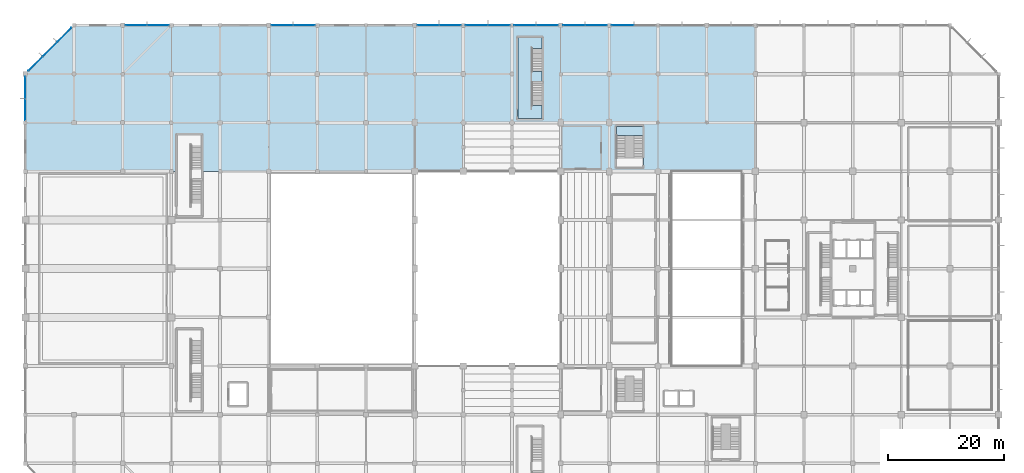
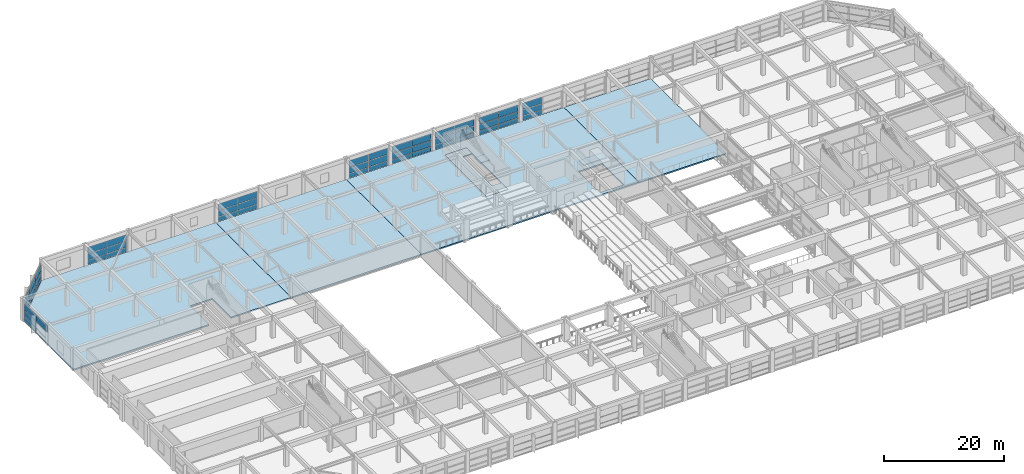
# One storey, part 45 of 62: 52 plates, 7 slabs, 11 elements without a shape of their own.
"""IFC4 building model written with IfcOpenShell, lengths in metres."""

from ifc_helpers import new_model, si_unit, direction, frame, origin, origin_2d, place, context, subcontext, project, spatial, polyline, rectangle, outline, extrude, material, layer, layer_set, type_object, element, aggregate, save


model = new_model("IFC4")

# Units and contexts
model_context = context("Model", 3, precision=1e-05, world=origin(), true_north=direction((0.0, 1.0)))
body_context = subcontext(model_context, "Body", "Model", "MODEL_VIEW")
ifc_project = project(units=[si_unit("LENGTHUNIT", "METRE"), si_unit("AREAUNIT", "SQUARE_METRE"), si_unit("VOLUMEUNIT", "CUBIC_METRE"), si_unit("PLANEANGLEUNIT", "RADIAN"), si_unit("MASSUNIT", "GRAM", prefix="KILO")], contexts=[model_context])

# Site, building, storey
site_placement = place(None, origin())
site = spatial("IfcSite", under=ifc_project, at=site_placement, CompositionType="ELEMENT")
building_placement = place(site_placement, origin())
building = spatial("IfcBuilding", under=site, at=building_placement, Name="Xuanlan Plaza Opera House", CompositionType="ELEMENT")
storey_placement = place(building_placement, frame((0.0, 0.0, 14.39990234375)))
storey = spatial("IfcBuildingStorey", under=building, at=storey_placement, Name="L03", CompositionType="ELEMENT", Elevation=14.39990234375)

# Curtain wall, plates
ifc_material_1 = material(Name="Anodised Aluminium 6063-T6 and Low-E Glass", Category="aluminium")
curtain_wall_type_1 = type_object("IfcCurtainWallType", Name="ENV-CW-CW-06", PredefinedType="USERDEFINED", material=ifc_material_1)
curtain_wall_1_placement = place(storey_placement, origin())
curtain_wall_1 = element("IfcCurtainWall", 1, at=curtain_wall_1_placement, inside=storey, type_object=curtain_wall_type_1, Name="Acoustic Glazed Wall L03-037", ObjectType="ACOUSTIC GLAZED WALL", PredefinedType="USERDEFINED")
ifc_material_2 = material(Name="Laminated Acoustic Double Glazing", Category="glass")
ifc_layer_1 = layer(ifc_material_2, 0.028076171875)
ifc_layer_set_1 = layer_set([ifc_layer_1], Name="Laminated Acoustic Double Glazing")
plate_type_1 = type_object("IfcPlateType", Name="ENV-CWP-01", PredefinedType="CURTAIN_PANEL", material=ifc_layer_set_1)
plate_1_placement = place(storey_placement, frame((90.047607421875, 100.800048828125, 0.080078125), z_axis=(0.0, 0.0, 1.0), x_axis=(-1.0, 0.0, 0.0)))
plate_1 = element("IfcPlate", 2, at=plate_1_placement, type_object=plate_type_1, Name="CW-06 panel 1.1", PredefinedType="CURTAIN_PANEL", context=body_context, shape_type="SweptSolid", body=[
    extrude(rectangle(XDim=3.72509765625, YDim=0.028076171875, at=origin_2d()), origin(), (0.0, 0.0, 1.0), 0.830078125),
])
plate_2_placement = place(storey_placement, frame((90.047607421875, 100.800048828125, 0.990234375), z_axis=(0.0, 0.0, 1.0), x_axis=(-1.0, 0.0, 0.0)))
plate_2 = element("IfcPlate", 3, at=plate_2_placement, type_object=plate_type_1, Name="CW-06 panel 1.2", PredefinedType="CURTAIN_PANEL", context=body_context, shape_type="SweptSolid", body=[
    extrude(rectangle(XDim=3.72509765625, YDim=0.028076171875, at=origin_2d()), origin(), (0.0, 0.0, 1.0), 1.219970703125),
])
plate_3_placement = place(storey_placement, frame((90.047607421875, 100.800048828125, 2.2900390625), z_axis=(0.0, 0.0, 1.0), x_axis=(-1.0, 0.0, 0.0)))
plate_3 = element("IfcPlate", 4, at=plate_3_placement, type_object=plate_type_1, Name="CW-06 panel 1.3", PredefinedType="CURTAIN_PANEL", context=body_context, shape_type="SweptSolid", body=[
    extrude(rectangle(XDim=3.72509765625, YDim=0.028076171875, at=origin_2d()), origin(), (0.0, 0.0, 1.0), 1.31005859375),
])
plate_4_placement = place(storey_placement, frame((86.25244140625, 100.800048828125, 0.080078125), z_axis=(0.0, 0.0, 1.0), x_axis=(-1.0, 0.0, 0.0)))
plate_4 = element("IfcPlate", 5, at=plate_4_placement, type_object=plate_type_1, Name="CW-06 panel 2.1", PredefinedType="CURTAIN_PANEL", context=body_context, shape_type="SweptSolid", body=[
    extrude(rectangle(XDim=3.72509765625, YDim=0.028076171875, at=origin_2d()), origin(), (0.0, 0.0, 1.0), 0.830078125),
])
plate_5_placement = place(storey_placement, frame((86.25244140625, 100.800048828125, 0.990234375), z_axis=(0.0, 0.0, 1.0), x_axis=(-1.0, 0.0, 0.0)))
plate_5 = element("IfcPlate", 6, at=plate_5_placement, type_object=plate_type_1, Name="CW-06 panel 2.2", PredefinedType="CURTAIN_PANEL", context=body_context, shape_type="SweptSolid", body=[
    extrude(rectangle(XDim=3.72509765625, YDim=0.028076171875, at=origin_2d()), origin(), (0.0, 0.0, 1.0), 1.219970703125),
])
plate_6_placement = place(storey_placement, frame((86.25244140625, 100.800048828125, 2.2900390625), z_axis=(0.0, 0.0, 1.0), x_axis=(-1.0, 0.0, 0.0)))
plate_6 = element("IfcPlate", 7, at=plate_6_placement, type_object=plate_type_1, Name="CW-06 panel 2.3", PredefinedType="CURTAIN_PANEL", context=body_context, shape_type="SweptSolid", body=[
    extrude(rectangle(XDim=3.72509765625, YDim=0.028076171875, at=origin_2d()), origin(), (0.0, 0.0, 1.0), 1.31005859375),
])
aggregate(curtain_wall_1, [plate_1, plate_2, plate_3, plate_4, plate_5, plate_6])

curtain_wall_type_2 = type_object("IfcCurtainWallType", Name="ENV-CW-CW-03", PredefinedType="USERDEFINED", material=ifc_material_1)
curtain_wall_2_placement = place(storey_placement, origin())
curtain_wall_2 = element("IfcCurtainWall", 8, at=curtain_wall_2_placement, inside=storey, type_object=curtain_wall_type_2, Name="Unitised Curtain Wall L03-042", ObjectType="UNITISED CURTAIN WALL", PredefinedType="USERDEFINED")
plate_7_placement = place(storey_placement, frame((48.110107421875, 100.800048828125, 0.080078125), z_axis=(0.0, 0.0, 1.0), x_axis=(-1.0, 0.0, 0.0)))
plate_7 = element("IfcPlate", 9, at=plate_7_placement, type_object=plate_type_1, Name="CW-03 panel 1.1", PredefinedType="CURTAIN_PANEL", context=body_context, shape_type="SweptSolid", body=[
    extrude(rectangle(XDim=3.699951171875, YDim=0.028076171875, at=origin_2d()), origin(), (0.0, 0.0, 1.0), 0.830078125),
])
plate_8_placement = place(storey_placement, frame((48.110107421875, 100.800048828125, 0.990234375), z_axis=(0.0, 0.0, 1.0), x_axis=(-1.0, 0.0, 0.0)))
plate_8 = element("IfcPlate", 10, at=plate_8_placement, type_object=plate_type_1, Name="CW-03 panel 1.2", PredefinedType="CURTAIN_PANEL", context=body_context, shape_type="SweptSolid", body=[
    extrude(rectangle(XDim=3.699951171875, YDim=0.028076171875, at=origin_2d()), origin(), (0.0, 0.0, 1.0), 1.219970703125),
])
plate_9_placement = place(storey_placement, frame((48.110107421875, 100.800048828125, 2.2900390625), z_axis=(0.0, 0.0, 1.0), x_axis=(-1.0, 0.0, 0.0)))
plate_9 = element("IfcPlate", 11, at=plate_9_placement, type_object=plate_type_1, Name="CW-03 panel 1.3", PredefinedType="CURTAIN_PANEL", context=body_context, shape_type="SweptSolid", body=[
    extrude(rectangle(XDim=3.699951171875, YDim=0.028076171875, at=origin_2d()), origin(), (0.0, 0.0, 1.0), 1.31005859375),
])
plate_10_placement = place(storey_placement, frame((44.340087890625, 100.800048828125, 0.080078125), z_axis=(0.0, 0.0, 1.0), x_axis=(-1.0, 0.0, 0.0)))
plate_10 = element("IfcPlate", 12, at=plate_10_placement, type_object=plate_type_1, Name="CW-03 panel 2.1", PredefinedType="CURTAIN_PANEL", context=body_context, shape_type="SweptSolid", body=[
    extrude(rectangle(XDim=3.699951171875, YDim=0.028076171875, at=origin_2d()), origin(), (0.0, 0.0, 1.0), 0.830078125),
])
plate_11_placement = place(storey_placement, frame((44.340087890625, 100.800048828125, 0.990234375), z_axis=(0.0, 0.0, 1.0), x_axis=(-1.0, 0.0, 0.0)))
plate_11 = element("IfcPlate", 13, at=plate_11_placement, type_object=plate_type_1, Name="CW-03 panel 2.2", PredefinedType="CURTAIN_PANEL", context=body_context, shape_type="SweptSolid", body=[
    extrude(rectangle(XDim=3.699951171875, YDim=0.028076171875, at=origin_2d()), origin(), (0.0, 0.0, 1.0), 1.219970703125),
])
plate_12_placement = place(storey_placement, frame((44.340087890625, 100.800048828125, 2.2900390625), z_axis=(0.0, 0.0, 1.0), x_axis=(-1.0, 0.0, 0.0)))
plate_12 = element("IfcPlate", 14, at=plate_12_placement, type_object=plate_type_1, Name="CW-03 panel 2.3", PredefinedType="CURTAIN_PANEL", context=body_context, shape_type="SweptSolid", body=[
    extrude(rectangle(XDim=3.699951171875, YDim=0.028076171875, at=origin_2d()), origin(), (0.0, 0.0, 1.0), 1.31005859375),
])
aggregate(curtain_wall_2, [plate_7, plate_8, plate_9, plate_10, plate_11, plate_12])

curtain_wall_type_3 = type_object("IfcCurtainWallType", Name="ENV-CW-CW-04", PredefinedType="USERDEFINED", material=ifc_material_1)
curtain_wall_3_placement = place(storey_placement, origin())
curtain_wall_3 = element("IfcCurtainWall", 15, at=curtain_wall_3_placement, inside=storey, type_object=curtain_wall_type_3, Name="Unitised Curtain Wall L03-047", ObjectType="UNITISED CURTAIN WALL", PredefinedType="USERDEFINED")
plate_13_placement = place(storey_placement, frame((6.73828125, 99.13818359375, 0.080078125), z_axis=(0.0, 0.0, 1.0), x_axis=(-0.707106781187, -0.707106781187, 0.0)))
plate_13 = element("IfcPlate", 16, at=plate_13_placement, type_object=plate_type_1, Name="CW-04 panel 1.1", PredefinedType="CURTAIN_PANEL", context=body_context, shape_type="SweptSolid", body=[
    extrude(rectangle(XDim=3.431396484375, YDim=0.028076171875, at=origin_2d()), origin(), (0.0, 0.0, 1.0), 0.830078125),
])
plate_14_placement = place(storey_placement, frame((6.73828125, 99.13818359375, 0.990234375), z_axis=(0.0, 0.0, 1.0), x_axis=(-0.707106781187, -0.707106781187, 0.0)))
plate_14 = element("IfcPlate", 17, at=plate_14_placement, type_object=plate_type_1, Name="CW-04 panel 1.2", PredefinedType="CURTAIN_PANEL", context=body_context, shape_type="SweptSolid", body=[
    extrude(rectangle(XDim=3.431396484375, YDim=0.028076171875, at=origin_2d()), origin(), (0.0, 0.0, 1.0), 1.219970703125),
])
plate_15_placement = place(storey_placement, frame((6.73828125, 99.13818359375, 2.2900390625), z_axis=(0.0, 0.0, 1.0), x_axis=(-0.707106781187, -0.707106781187, 0.0)))
plate_15 = element("IfcPlate", 18, at=plate_15_placement, type_object=plate_type_1, Name="CW-04 panel 1.3", PredefinedType="CURTAIN_PANEL", context=body_context, shape_type="SweptSolid", body=[
    extrude(rectangle(XDim=3.431396484375, YDim=0.028076171875, at=origin_2d()), origin(), (0.0, 0.0, 1.0), 1.31005859375),
])
plate_16_placement = place(storey_placement, frame((4.25, 96.64990234375, 0.080078125), z_axis=(0.0, 0.0, 1.0), x_axis=(-0.707106781187, -0.707106781187, 0.0)))
plate_16 = element("IfcPlate", 19, at=plate_16_placement, type_object=plate_type_1, Name="CW-04 panel 2.1", PredefinedType="CURTAIN_PANEL", context=body_context, shape_type="SweptSolid", body=[
    extrude(rectangle(XDim=3.466552734375, YDim=0.028076171875, at=origin_2d()), origin(), (0.0, 0.0, 1.0), 0.830078125),
])
plate_17_placement = place(storey_placement, frame((4.25, 96.64990234375, 0.990234375), z_axis=(0.0, 0.0, 1.0), x_axis=(-0.707106781187, -0.707106781187, 0.0)))
plate_17 = element("IfcPlate", 20, at=plate_17_placement, type_object=plate_type_1, Name="CW-04 panel 2.2", PredefinedType="CURTAIN_PANEL", context=body_context, shape_type="SweptSolid", body=[
    extrude(rectangle(XDim=3.466552734375, YDim=0.028076171875, at=origin_2d()), origin(), (0.0, 0.0, 1.0), 1.219970703125),
])
plate_18_placement = place(storey_placement, frame((4.25, 96.64990234375, 2.2900390625), z_axis=(0.0, 0.0, 1.0), x_axis=(-0.707106781187, -0.707106781187, 0.0)))
plate_18 = element("IfcPlate", 21, at=plate_18_placement, type_object=plate_type_1, Name="CW-04 panel 2.3", PredefinedType="CURTAIN_PANEL", context=body_context, shape_type="SweptSolid", body=[
    extrude(rectangle(XDim=3.466552734375, YDim=0.028076171875, at=origin_2d()), origin(), (0.0, 0.0, 1.0), 1.31005859375),
])
plate_19_placement = place(storey_placement, frame((1.76171875, 94.16162109375, 0.080078125), z_axis=(0.0, 0.0, 1.0), x_axis=(-0.707106781187, -0.707106781187, 0.0)))
plate_19 = element("IfcPlate", 22, at=plate_19_placement, type_object=plate_type_1, Name="CW-04 panel 3.1", PredefinedType="CURTAIN_PANEL", context=body_context, shape_type="SweptSolid", body=[
    extrude(rectangle(XDim=3.431396484375, YDim=0.028076171875, at=origin_2d()), origin(), (0.0, 0.0, 1.0), 0.830078125),
])
plate_20_placement = place(storey_placement, frame((1.76171875, 94.16162109375, 0.990234375), z_axis=(0.0, 0.0, 1.0), x_axis=(-0.707106781187, -0.707106781187, 0.0)))
plate_20 = element("IfcPlate", 23, at=plate_20_placement, type_object=plate_type_1, Name="CW-04 panel 3.2", PredefinedType="CURTAIN_PANEL", context=body_context, shape_type="SweptSolid", body=[
    extrude(rectangle(XDim=3.431396484375, YDim=0.028076171875, at=origin_2d()), origin(), (0.0, 0.0, 1.0), 1.219970703125),
])
plate_21_placement = place(storey_placement, frame((1.76171875, 94.16162109375, 2.2900390625), z_axis=(0.0, 0.0, 1.0), x_axis=(-0.707106781187, -0.707106781187, 0.0)))
plate_21 = element("IfcPlate", 24, at=plate_21_placement, type_object=plate_type_1, Name="CW-04 panel 3.3", PredefinedType="CURTAIN_PANEL", context=body_context, shape_type="SweptSolid", body=[
    extrude(rectangle(XDim=3.431396484375, YDim=0.028076171875, at=origin_2d()), origin(), (0.0, 0.0, 1.0), 1.31005859375),
])
aggregate(curtain_wall_3, [plate_13, plate_14, plate_15, plate_16, plate_17, plate_18, plate_19, plate_20, plate_21])

curtain_wall_4_placement = place(storey_placement, origin())
curtain_wall_4 = element("IfcCurtainWall", 25, at=curtain_wall_4_placement, inside=storey, type_object=curtain_wall_type_1, Name="Acoustic Glazed Wall L03-039", ObjectType="ACOUSTIC GLAZED WALL", PredefinedType="USERDEFINED")
ifc_layer_2 = layer(ifc_material_2, 0.031982421875)
ifc_layer_set_2 = layer_set([ifc_layer_2], Name="Laminated Acoustic Double Glazing")
plate_type_2 = type_object("IfcPlateType", Name="ENV-CWP-02", PredefinedType="CURTAIN_PANEL", material=ifc_layer_set_2)
plate_22_placement = place(storey_placement, frame((73.3076171875, 100.800048828125, 0.0751953125), z_axis=(0.0, 0.0, 1.0), x_axis=(-1.0, 0.0, 0.0)))
plate_22 = element("IfcPlate", 26, at=plate_22_placement, type_object=plate_type_2, Name="CW-06 panel 1.1", PredefinedType="CURTAIN_PANEL", context=body_context, shape_type="SweptSolid", body=[
    extrude(rectangle(XDim=3.68505859375, YDim=0.031982421875, at=origin_2d()), origin(), (0.0, 0.0, 1.0), 0.83740234375),
])
plate_23_placement = place(storey_placement, frame((73.3076171875, 100.800048828125, 0.987548828125), z_axis=(0.0, 0.0, 1.0), x_axis=(-1.0, 0.0, 0.0)))
plate_23 = element("IfcPlate", 27, at=plate_23_placement, type_object=plate_type_2, Name="CW-06 panel 1.2", PredefinedType="CURTAIN_PANEL", context=body_context, shape_type="SweptSolid", body=[
    extrude(rectangle(XDim=3.68505859375, YDim=0.031982421875, at=origin_2d()), origin(), (0.0, 0.0, 1.0), 1.22509765625),
])
plate_24_placement = place(storey_placement, frame((73.3076171875, 100.800048828125, 2.28759765625), z_axis=(0.0, 0.0, 1.0), x_axis=(-1.0, 0.0, 0.0)))
plate_24 = element("IfcPlate", 28, at=plate_24_placement, type_object=plate_type_2, Name="CW-06 panel 1.3", PredefinedType="CURTAIN_PANEL", context=body_context, shape_type="SweptSolid", body=[
    extrude(rectangle(XDim=3.68505859375, YDim=0.031982421875, at=origin_2d()), origin(), (0.0, 0.0, 1.0), 1.3173828125),
])
plate_25_placement = place(storey_placement, frame((69.54248046875, 100.800048828125, 0.0751953125), z_axis=(0.0, 0.0, 1.0), x_axis=(-1.0, 0.0, 0.0)))
plate_25 = element("IfcPlate", 29, at=plate_25_placement, type_object=plate_type_2, Name="CW-06 panel 2.1", PredefinedType="CURTAIN_PANEL", context=body_context, shape_type="SweptSolid", body=[
    extrude(rectangle(XDim=3.68505859375, YDim=0.031982421875, at=origin_2d()), origin(), (0.0, 0.0, 1.0), 0.83740234375),
])
plate_26_placement = place(storey_placement, frame((69.54248046875, 100.800048828125, 0.987548828125), z_axis=(0.0, 0.0, 1.0), x_axis=(-1.0, 0.0, 0.0)))
plate_26 = element("IfcPlate", 30, at=plate_26_placement, type_object=plate_type_2, Name="CW-06 panel 2.2", PredefinedType="CURTAIN_PANEL", context=body_context, shape_type="SweptSolid", body=[
    extrude(rectangle(XDim=3.68505859375, YDim=0.031982421875, at=origin_2d()), origin(), (0.0, 0.0, 1.0), 1.22509765625),
])
plate_27_placement = place(storey_placement, frame((69.54248046875, 100.800048828125, 2.28759765625), z_axis=(0.0, 0.0, 1.0), x_axis=(-1.0, 0.0, 0.0)))
plate_27 = element("IfcPlate", 31, at=plate_27_placement, type_object=plate_type_2, Name="CW-06 panel 2.3", PredefinedType="CURTAIN_PANEL", context=body_context, shape_type="SweptSolid", body=[
    extrude(rectangle(XDim=3.68505859375, YDim=0.031982421875, at=origin_2d()), origin(), (0.0, 0.0, 1.0), 1.3173828125),
])
aggregate(curtain_wall_4, [plate_22, plate_23, plate_24, plate_25, plate_26, plate_27])

curtain_wall_type_4 = type_object("IfcCurtainWallType", Name="ENV-CW-CW-05", PredefinedType="USERDEFINED", material=ifc_material_1)
curtain_wall_5_placement = place(storey_placement, origin())
curtain_wall_5 = element("IfcCurtainWall", 32, at=curtain_wall_5_placement, inside=storey, type_object=curtain_wall_type_4, Name="Acoustic Glazed Wall L03-036", ObjectType="ACOUSTIC GLAZED WALL", PredefinedType="USERDEFINED")
ifc_layer_3 = layer(ifc_material_2, 0.035888671875)
ifc_layer_set_3 = layer_set([ifc_layer_3], Name="Laminated Acoustic Double Glazing")
plate_type_3 = type_object("IfcPlateType", Name="ENV-CWP-03", PredefinedType="CURTAIN_PANEL", material=ifc_layer_set_3)
plate_28_placement = place(storey_placement, frame((98.51123046875, 100.800048828125, 0.0703125), z_axis=(0.0, 0.0, 1.0), x_axis=(-1.0, 0.0, 0.0)))
plate_28 = element("IfcPlate", 33, at=plate_28_placement, type_object=plate_type_3, Name="CW-05 panel 1.1", PredefinedType="CURTAIN_PANEL", context=body_context, shape_type="SweptSolid", body=[
    extrude(rectangle(XDim=3.70751953125, YDim=0.035888671875, at=origin_2d()), origin(), (0.0, 0.0, 1.0), 0.844970703125),
])
plate_29_placement = place(storey_placement, frame((98.51123046875, 100.800048828125, 0.985107421875), z_axis=(0.0, 0.0, 1.0), x_axis=(-1.0, 0.0, 0.0)))
plate_29 = element("IfcPlate", 34, at=plate_29_placement, type_object=plate_type_3, Name="CW-05 panel 1.2", PredefinedType="CURTAIN_PANEL", context=body_context, shape_type="SweptSolid", body=[
    extrude(rectangle(XDim=3.70751953125, YDim=0.035888671875, at=origin_2d()), origin(), (0.0, 0.0, 1.0), 1.22998046875),
])
plate_30_placement = place(storey_placement, frame((98.51123046875, 100.800048828125, 2.28515625), z_axis=(0.0, 0.0, 1.0), x_axis=(-1.0, 0.0, 0.0)))
plate_30 = element("IfcPlate", 35, at=plate_30_placement, type_object=plate_type_3, Name="CW-05 panel 1.3", PredefinedType="CURTAIN_PANEL", context=body_context, shape_type="SweptSolid", body=[
    extrude(rectangle(XDim=3.70751953125, YDim=0.035888671875, at=origin_2d()), origin(), (0.0, 0.0, 1.0), 1.324951171875),
])
plate_31_placement = place(storey_placement, frame((94.73876953125, 100.800048828125, 0.0703125), z_axis=(0.0, 0.0, 1.0), x_axis=(-1.0, 0.0, 0.0)))
plate_31 = element("IfcPlate", 36, at=plate_31_placement, type_object=plate_type_3, Name="CW-05 panel 2.1", PredefinedType="CURTAIN_PANEL", context=body_context, shape_type="SweptSolid", body=[
    extrude(rectangle(XDim=3.70751953125, YDim=0.035888671875, at=origin_2d()), origin(), (0.0, 0.0, 1.0), 0.844970703125),
])
plate_32_placement = place(storey_placement, frame((94.73876953125, 100.800048828125, 0.985107421875), z_axis=(0.0, 0.0, 1.0), x_axis=(-1.0, 0.0, 0.0)))
plate_32 = element("IfcPlate", 37, at=plate_32_placement, type_object=plate_type_3, Name="CW-05 panel 2.2", PredefinedType="CURTAIN_PANEL", context=body_context, shape_type="SweptSolid", body=[
    extrude(rectangle(XDim=3.70751953125, YDim=0.035888671875, at=origin_2d()), origin(), (0.0, 0.0, 1.0), 1.22998046875),
])
plate_33_placement = place(storey_placement, frame((94.73876953125, 100.800048828125, 2.28515625), z_axis=(0.0, 0.0, 1.0), x_axis=(-1.0, 0.0, 0.0)))
plate_33 = element("IfcPlate", 38, at=plate_33_placement, type_object=plate_type_3, Name="CW-05 panel 2.3", PredefinedType="CURTAIN_PANEL", context=body_context, shape_type="SweptSolid", body=[
    extrude(rectangle(XDim=3.70751953125, YDim=0.035888671875, at=origin_2d()), origin(), (0.0, 0.0, 1.0), 1.324951171875),
])
aggregate(curtain_wall_5, [plate_28, plate_29, plate_30, plate_31, plate_32, plate_33])

curtain_wall_6_placement = place(storey_placement, origin())
curtain_wall_6 = element("IfcCurtainWall", 39, at=curtain_wall_6_placement, inside=storey, type_object=curtain_wall_type_4, Name="Acoustic Glazed Wall L03-038", ObjectType="ACOUSTIC GLAZED WALL", PredefinedType="USERDEFINED")
ifc_layer_4 = layer(ifc_material_2, 0.0400390625)
ifc_layer_set_4 = layer_set([ifc_layer_4], Name="Laminated Acoustic Double Glazing")
plate_type_4 = type_object("IfcPlateType", Name="ENV-CWP-04", PredefinedType="CURTAIN_PANEL", material=ifc_layer_set_4)
plate_34_placement = place(storey_placement, frame((81.733642578125, 100.800048828125, 0.065185546875), z_axis=(0.0, 0.0, 1.0), x_axis=(-1.0, 0.0, 0.0)))
plate_34 = element("IfcPlate", 40, at=plate_34_placement, type_object=plate_type_4, Name="CW-05 panel 1.1", PredefinedType="CURTAIN_PANEL", context=body_context, shape_type="SweptSolid", body=[
    extrude(rectangle(XDim=3.742431640625, YDim=0.0400390625, at=origin_2d()), origin(), (0.0, 0.0, 1.0), 0.8525390625),
])
plate_35_placement = place(storey_placement, frame((81.733642578125, 100.800048828125, 0.982421875), z_axis=(0.0, 0.0, 1.0), x_axis=(-1.0, 0.0, 0.0)))
plate_35 = element("IfcPlate", 41, at=plate_35_placement, type_object=plate_type_4, Name="CW-05 panel 1.2", PredefinedType="CURTAIN_PANEL", context=body_context, shape_type="SweptSolid", body=[
    extrude(rectangle(XDim=3.742431640625, YDim=0.0400390625, at=origin_2d()), origin(), (0.0, 0.0, 1.0), 1.235107421875),
])
plate_36_placement = place(storey_placement, frame((81.733642578125, 100.800048828125, 2.282470703125), z_axis=(0.0, 0.0, 1.0), x_axis=(-1.0, 0.0, 0.0)))
plate_36 = element("IfcPlate", 42, at=plate_36_placement, type_object=plate_type_4, Name="CW-05 panel 1.3", PredefinedType="CURTAIN_PANEL", context=body_context, shape_type="SweptSolid", body=[
    extrude(rectangle(XDim=3.742431640625, YDim=0.0400390625, at=origin_2d()), origin(), (0.0, 0.0, 1.0), 1.33251953125),
])
plate_37_placement = place(storey_placement, frame((77.916259765625, 100.800048828125, 0.065185546875), z_axis=(0.0, 0.0, 1.0), x_axis=(-1.0, 0.0, 0.0)))
plate_37 = element("IfcPlate", 43, at=plate_37_placement, type_object=plate_type_4, Name="CW-05 panel 2.1", PredefinedType="CURTAIN_PANEL", context=body_context, shape_type="SweptSolid", body=[
    extrude(rectangle(XDim=3.742431640625, YDim=0.0400390625, at=origin_2d()), origin(), (0.0, 0.0, 1.0), 0.8525390625),
])
plate_38_placement = place(storey_placement, frame((77.916259765625, 100.800048828125, 0.982421875), z_axis=(0.0, 0.0, 1.0), x_axis=(-1.0, 0.0, 0.0)))
plate_38 = element("IfcPlate", 44, at=plate_38_placement, type_object=plate_type_4, Name="CW-05 panel 2.2", PredefinedType="CURTAIN_PANEL", context=body_context, shape_type="SweptSolid", body=[
    extrude(rectangle(XDim=3.742431640625, YDim=0.0400390625, at=origin_2d()), origin(), (0.0, 0.0, 1.0), 1.235107421875),
])
plate_39_placement = place(storey_placement, frame((77.916259765625, 100.800048828125, 2.282470703125), z_axis=(0.0, 0.0, 1.0), x_axis=(-1.0, 0.0, 0.0)))
plate_39 = element("IfcPlate", 45, at=plate_39_placement, type_object=plate_type_4, Name="CW-05 panel 2.3", PredefinedType="CURTAIN_PANEL", context=body_context, shape_type="SweptSolid", body=[
    extrude(rectangle(XDim=3.742431640625, YDim=0.0400390625, at=origin_2d()), origin(), (0.0, 0.0, 1.0), 1.33251953125),
])
aggregate(curtain_wall_6, [plate_34, plate_35, plate_36, plate_37, plate_38, plate_39])

curtain_wall_type_5 = type_object("IfcCurtainWallType", Name="ENV-CW-CW-01", PredefinedType="USERDEFINED", material=ifc_material_1)
curtain_wall_7_placement = place(storey_placement, origin())
curtain_wall_7 = element("IfcCurtainWall", 46, at=curtain_wall_7_placement, inside=storey, type_object=curtain_wall_type_5, Name="Unitised Curtain Wall L03-048", ObjectType="UNITISED CURTAIN WALL", PredefinedType="USERDEFINED")
plate_40_placement = place(storey_placement, frame((0.0, 90.046142578125, 0.065185546875), z_axis=(0.0, 0.0, 1.0), x_axis=(0.0, -1.0, 0.0)))
plate_40 = element("IfcPlate", 47, at=plate_40_placement, type_object=plate_type_4, Name="CW-01 panel 1.1", PredefinedType="CURTAIN_PANEL", context=body_context, shape_type="SweptSolid", body=[
    extrude(rectangle(XDim=3.717529296875, YDim=0.0400390625, at=origin_2d()), origin(), (0.0, 0.0, 1.0), 0.8525390625),
])
plate_41_placement = place(storey_placement, frame((0.0, 90.046142578125, 0.982421875), z_axis=(0.0, 0.0, 1.0), x_axis=(0.0, -1.0, 0.0)))
plate_41 = element("IfcPlate", 48, at=plate_41_placement, type_object=plate_type_4, Name="CW-01 panel 1.2", PredefinedType="CURTAIN_PANEL", context=body_context, shape_type="SweptSolid", body=[
    extrude(rectangle(XDim=3.717529296875, YDim=0.0400390625, at=origin_2d()), origin(), (0.0, 0.0, 1.0), 1.235107421875),
])
plate_42_placement = place(storey_placement, frame((0.0, 90.046142578125, 2.282470703125), z_axis=(0.0, 0.0, 1.0), x_axis=(0.0, -1.0, 0.0)))
plate_42 = element("IfcPlate", 49, at=plate_42_placement, type_object=plate_type_4, Name="CW-01 panel 1.3", PredefinedType="CURTAIN_PANEL", context=body_context, shape_type="SweptSolid", body=[
    extrude(rectangle(XDim=3.717529296875, YDim=0.0400390625, at=origin_2d()), origin(), (0.0, 0.0, 1.0), 1.33251953125),
])
plate_43_placement = place(storey_placement, frame((0.0, 86.253662109375, 2.282470703125), z_axis=(0.0, 0.0, 1.0), x_axis=(0.0, -1.0, 0.0)))
plate_43 = element("IfcPlate", 50, at=plate_43_placement, type_object=plate_type_4, Name="CW-01 panel 2.3", PredefinedType="CURTAIN_PANEL", context=body_context, shape_type="SweptSolid", body=[
    extrude(rectangle(XDim=3.717529296875, YDim=0.0400390625, at=origin_2d()), origin(), (0.0, 0.0, 1.0), 1.33251953125),
])
aggregate(curtain_wall_7, [plate_40, plate_41, plate_42, plate_43])

curtain_wall_8_placement = place(storey_placement, origin())
curtain_wall_8 = element("IfcCurtainWall", 51, at=curtain_wall_8_placement, inside=storey, type_object=curtain_wall_type_1, Name="Acoustic Glazed Wall L03-035", ObjectType="ACOUSTIC GLAZED WALL", PredefinedType="USERDEFINED")
ifc_layer_5 = layer(ifc_material_2, 0.0439453125)
ifc_layer_set_5 = layer_set([ifc_layer_5], Name="Laminated Acoustic Double Glazing")
plate_type_5 = type_object("IfcPlateType", Name="ENV-CWP-05", PredefinedType="CURTAIN_PANEL", material=ifc_layer_set_5)
plate_44_placement = place(storey_placement, frame((103.1201171875, 100.800048828125, 0.090087890625), z_axis=(0.0, 0.0, 1.0), x_axis=(-1.0, 0.0, 0.0)))
plate_44 = element("IfcPlate", 52, at=plate_44_placement, type_object=plate_type_5, Name="CW-06 panel 2.1", PredefinedType="CURTAIN_PANEL", context=body_context, shape_type="SweptSolid", body=[
    extrude(rectangle(XDim=3.719970703125, YDim=0.0439453125, at=origin_2d()), origin(), (0.0, 0.0, 1.0), 0.81494140625),
])
plate_45_placement = place(storey_placement, frame((103.1201171875, 100.800048828125, 0.9951171875), z_axis=(0.0, 0.0, 1.0), x_axis=(-1.0, 0.0, 0.0)))
plate_45 = element("IfcPlate", 53, at=plate_45_placement, type_object=plate_type_5, Name="CW-06 panel 2.2", PredefinedType="CURTAIN_PANEL", context=body_context, shape_type="SweptSolid", body=[
    extrude(rectangle(XDim=3.719970703125, YDim=0.0439453125, at=origin_2d()), origin(), (0.0, 0.0, 1.0), 1.2099609375),
])
plate_46_placement = place(storey_placement, frame((103.1201171875, 100.800048828125, 2.295166015625), z_axis=(0.0, 0.0, 1.0), x_axis=(-1.0, 0.0, 0.0)))
plate_46 = element("IfcPlate", 54, at=plate_46_placement, type_object=plate_type_5, Name="CW-06 panel 2.3", PredefinedType="CURTAIN_PANEL", context=body_context, shape_type="SweptSolid", body=[
    extrude(rectangle(XDim=3.719970703125, YDim=0.0439453125, at=origin_2d()), origin(), (0.0, 0.0, 1.0), 1.294921875),
])
aggregate(curtain_wall_8, [plate_44, plate_45, plate_46])

curtain_wall_type_6 = type_object("IfcCurtainWallType", Name="ENV-CW-CW-02", PredefinedType="USERDEFINED", material=ifc_material_1)
curtain_wall_9_placement = place(storey_placement, origin())
curtain_wall_9 = element("IfcCurtainWall", 55, at=curtain_wall_9_placement, inside=storey, type_object=curtain_wall_type_6, Name="Unitised Curtain Wall L03-045", ObjectType="UNITISED CURTAIN WALL", PredefinedType="USERDEFINED")
plate_47_placement = place(storey_placement, frame((22.905029296875, 100.800048828125, 0.090087890625), z_axis=(0.0, 0.0, 1.0), x_axis=(-1.0, 0.0, 0.0)))
plate_47 = element("IfcPlate", 56, at=plate_47_placement, type_object=plate_type_5, Name="CW-02 panel 1.1", PredefinedType="CURTAIN_PANEL", context=body_context, shape_type="SweptSolid", body=[
    extrude(rectangle(XDim=3.669921875, YDim=0.0439453125, at=origin_2d()), origin(), (0.0, 0.0, 1.0), 0.81494140625),
])
plate_48_placement = place(storey_placement, frame((22.905029296875, 100.800048828125, 0.9951171875), z_axis=(0.0, 0.0, 1.0), x_axis=(-1.0, 0.0, 0.0)))
plate_48 = element("IfcPlate", 57, at=plate_48_placement, type_object=plate_type_5, Name="CW-02 panel 1.2", PredefinedType="CURTAIN_PANEL", context=body_context, shape_type="SweptSolid", body=[
    extrude(rectangle(XDim=3.669921875, YDim=0.0439453125, at=origin_2d()), origin(), (0.0, 0.0, 1.0), 1.2099609375),
])
plate_49_placement = place(storey_placement, frame((22.905029296875, 100.800048828125, 2.295166015625), z_axis=(0.0, 0.0, 1.0), x_axis=(-1.0, 0.0, 0.0)))
plate_49 = element("IfcPlate", 58, at=plate_49_placement, type_object=plate_type_5, Name="CW-02 panel 1.3", PredefinedType="CURTAIN_PANEL", context=body_context, shape_type="SweptSolid", body=[
    extrude(rectangle(XDim=3.669921875, YDim=0.0439453125, at=origin_2d()), origin(), (0.0, 0.0, 1.0), 1.294921875),
])
plate_50_placement = place(storey_placement, frame((19.14501953125, 100.800048828125, 0.090087890625), z_axis=(0.0, 0.0, 1.0), x_axis=(-1.0, 0.0, 0.0)))
plate_50 = element("IfcPlate", 59, at=plate_50_placement, type_object=plate_type_5, Name="CW-02 panel 2.1", PredefinedType="CURTAIN_PANEL", context=body_context, shape_type="SweptSolid", body=[
    extrude(rectangle(XDim=3.669921875, YDim=0.0439453125, at=origin_2d()), origin(), (0.0, 0.0, 1.0), 0.81494140625),
])
plate_51_placement = place(storey_placement, frame((19.14501953125, 100.800048828125, 0.9951171875), z_axis=(0.0, 0.0, 1.0), x_axis=(-1.0, 0.0, 0.0)))
plate_51 = element("IfcPlate", 60, at=plate_51_placement, type_object=plate_type_5, Name="CW-02 panel 2.2", PredefinedType="CURTAIN_PANEL", context=body_context, shape_type="SweptSolid", body=[
    extrude(rectangle(XDim=3.669921875, YDim=0.0439453125, at=origin_2d()), origin(), (0.0, 0.0, 1.0), 1.2099609375),
])
plate_52_placement = place(storey_placement, frame((19.14501953125, 100.800048828125, 2.295166015625), z_axis=(0.0, 0.0, 1.0), x_axis=(-1.0, 0.0, 0.0)))
plate_52 = element("IfcPlate", 61, at=plate_52_placement, type_object=plate_type_5, Name="CW-02 panel 2.3", PredefinedType="CURTAIN_PANEL", context=body_context, shape_type="SweptSolid", body=[
    extrude(rectangle(XDim=3.669921875, YDim=0.0439453125, at=origin_2d()), origin(), (0.0, 0.0, 1.0), 1.294921875),
])
aggregate(curtain_wall_9, [plate_47, plate_48, plate_49, plate_50, plate_51, plate_52])

# Stair, slab
ifc_material_3 = material(Name="Concrete C40", Category="concrete")
stair_type_1 = type_object("IfcStairType", Name="INT-ST-STR-F130", PredefinedType="HALF_TURN_STAIR", material=ifc_material_3)
stair_1_placement = place(storey_placement, origin())
stair_1 = element("IfcStair", 62, at=stair_1_placement, inside=storey, type_object=stair_type_1, Name="Grand Foyer Feature Stair ST-F2 L03", PredefinedType="HALF_TURN_STAIR")
ifc_layer_6 = layer(ifc_material_3, 0.18994140625)
ifc_layer_set_6 = layer_set([ifc_layer_6], Name="Concrete C40")
slab_type_1 = type_object("IfcSlabType", Name="INT-SLB-LND-19", PredefinedType="LANDING", material=ifc_layer_set_6)
slab_1_placement = place(storey_placement, frame((0.0, 0.0, 2.06005859375)))
slab_1 = element("IfcSlab", 63, at=slab_1_placement, type_object=slab_type_1, Name="ST-F2-L03 landing 1", PredefinedType="LANDING", context=body_context, shape_type="SweptSolid", body=[
    extrude(outline(polyline([(102.0, 81.77490234375), (106.60009765625, 81.77490234375), (106.60009765625, 83.3798828125), (102.0, 83.3798828125), (102.0, 81.77490234375)])), origin(), (0.0, 0.0, 1.0), 0.18994140625),
])
aggregate(stair_1, [slab_1])

# Stair, slabs
stair_type_2 = type_object("IfcStairType", Name="INT-ST-STR-P180", PredefinedType="STRAIGHT_RUN_STAIR", material=ifc_material_3)
stair_2_placement = place(storey_placement, origin())
stair_2 = element("IfcStair", 64, at=stair_2_placement, inside=storey, type_object=stair_type_2, Name="Protected Exit Stair ST-P4 L03", PredefinedType="STRAIGHT_RUN_STAIR")
ifc_layer_7 = layer(ifc_material_3, 0.199951171875)
ifc_layer_set_7 = layer_set([ifc_layer_7], Name="Concrete C40")
slab_type_2 = type_object("IfcSlabType", Name="INT-SLB-LND-20", PredefinedType="LANDING", material=ifc_layer_set_7)
slab_2_placement = place(storey_placement, frame((0.0, 0.0, 2.050048828125)))
slab_2 = element("IfcSlab", 65, at=slab_2_placement, type_object=slab_type_2, Name="ST-P4-L03 landing 1", PredefinedType="LANDING", context=body_context, shape_type="SweptSolid", body=[
    extrude(outline(polyline([(87.39990234375, 90.93505859375), (89.199951171875, 90.93505859375), (89.199951171875, 92.8349609375), (87.39990234375, 92.8349609375), (87.39990234375, 90.93505859375)])), origin(), (0.0, 0.0, 1.0), 0.199951171875),
])
slab_3_placement = place(storey_placement, frame((0.0, 0.0, -0.199951171875)))
slab_3 = element("IfcSlab", 66, at=slab_3_placement, type_object=slab_type_2, Name="ST-P4-L03 landing 2", PredefinedType="LANDING", context=body_context, shape_type="SweptSolid", body=[
    extrude(outline(polyline([(85.0, 84.699951171875), (89.199951171875, 84.699951171875), (89.199951171875, 86.9951171875), (87.39990234375, 86.9951171875), (87.39990234375, 96.77490234375), (89.199951171875, 96.77490234375), (89.199951171875, 98.699951171875), (85.0, 98.699951171875), (85.0, 84.699951171875)])), origin(), (0.0, 0.0, 1.0), 0.199951171875),
])
aggregate(stair_2, [slab_2, slab_3])

# Slabs
ifc_layer_8 = layer(ifc_material_3, 0.260009765625)
ifc_layer_set_8 = layer_set([ifc_layer_8], Name="Concrete C40")
slab_type_3 = type_object("IfcSlabType", Name="STR-SLB-SL-02", PredefinedType="FLOOR", material=ifc_layer_set_8)
slab_4_placement = place(storey_placement, frame((0.0, 0.0, -0.260009765625)))
element("IfcSlab", 67, at=slab_4_placement, inside=storey, type_object=slab_type_3, Name="Storey L03 Structural Floor Slab Zone 03", PredefinedType="FLOOR", context=body_context, shape_type="SweptSolid", body=[
    extrude(outline(polyline([(0.0, 92.39990234375), (8.39990234375, 100.800048828125), (42.0, 100.800048828125), (42.0, 75.60009765625), (30.39990234375, 75.60009765625), (30.39990234375, 81.89990234375), (26.199951171875, 81.89990234375), (26.199951171875, 75.60009765625), (0.0, 75.60009765625), (0.0, 92.39990234375)])), origin(), (0.0, 0.0, 1.0), 0.260009765625),
])
slab_5_placement = place(storey_placement, frame((0.0, 0.0, -0.260009765625)))
element("IfcSlab", 68, at=slab_5_placement, inside=storey, type_object=slab_type_3, Name="Storey L03 Structural Floor Slab Zone 06", PredefinedType="FLOOR", context=body_context, shape_type="SweptSolid", body=[
    extrude(outline(polyline([(67.199951171875, 100.800048828125), (67.199951171875, 75.60009765625), (42.0, 75.60009765625), (42.0, 100.800048828125), (67.199951171875, 100.800048828125)])), origin(), (0.0, 0.0, 1.0), 0.260009765625),
])
slab_6_placement = place(storey_placement, frame((0.0, 0.0, -0.260009765625)))
element("IfcSlab", 69, at=slab_6_placement, inside=storey, type_object=slab_type_3, Name="Storey L03 Structural Floor Slab Zone 09", PredefinedType="FLOOR", context=body_context, shape_type="SweptSolid", body=[
    extrude(outline(polyline([(109.199951171875, 100.800048828125), (109.199951171875, 75.60009765625), (100.800048828125, 75.60009765625), (67.199951171875, 75.60009765625), (67.199951171875, 100.800048828125), (109.199951171875, 100.800048828125)]), holes=[polyline([(89.199951171875, 84.699951171875), (89.199951171875, 98.699951171875), (85.0, 98.699951171875), (85.0, 84.699951171875), (89.199951171875, 84.699951171875)]), polyline([(102.0, 83.3798828125), (102.0, 76.300048828125), (106.60009765625, 76.300048828125), (106.60009765625, 83.3798828125), (102.0, 83.3798828125)])]), origin(), (0.0, 0.0, 1.0), 0.260009765625),
])
slab_7_placement = place(storey_placement, frame((0.0, 0.0, -0.260009765625)))
element("IfcSlab", 70, at=slab_7_placement, inside=storey, type_object=slab_type_3, Name="Storey L03 Structural Floor Slab Zone 13", PredefinedType="FLOOR", context=body_context, shape_type="SweptSolid", body=[
    extrude(outline(polyline([(126.0, 100.800048828125), (126.0, 75.60009765625), (123.60009765625, 75.60009765625), (111.60009765625, 75.60009765625), (109.199951171875, 75.60009765625), (109.199951171875, 100.800048828125), (126.0, 100.800048828125)])), origin(), (0.0, 0.0, 1.0), 0.260009765625),
])

save(model, "model.ifc")
